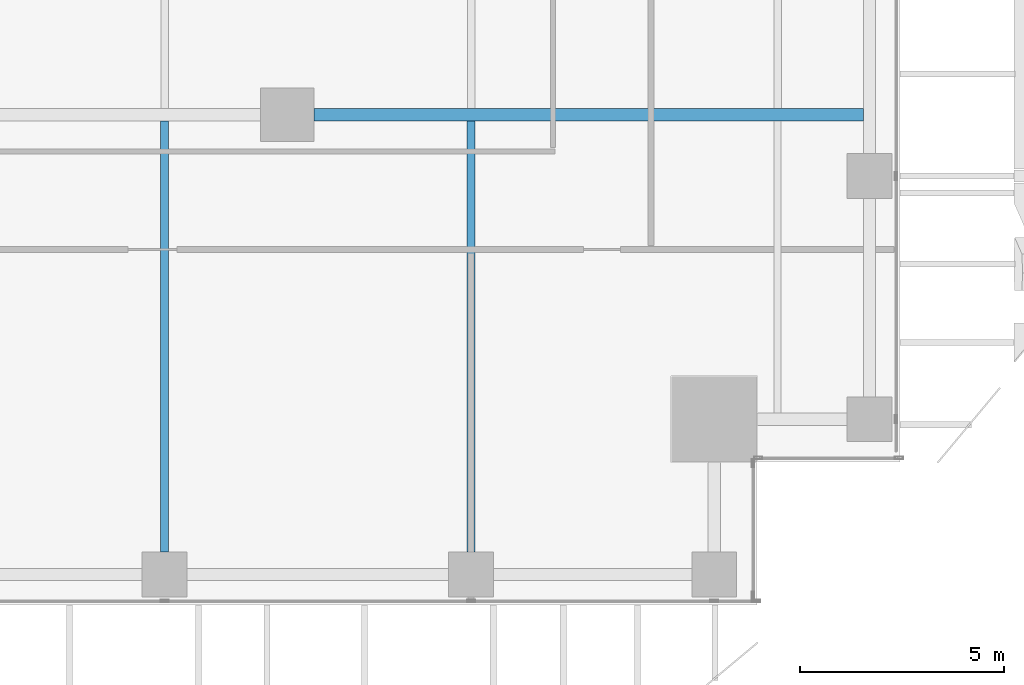
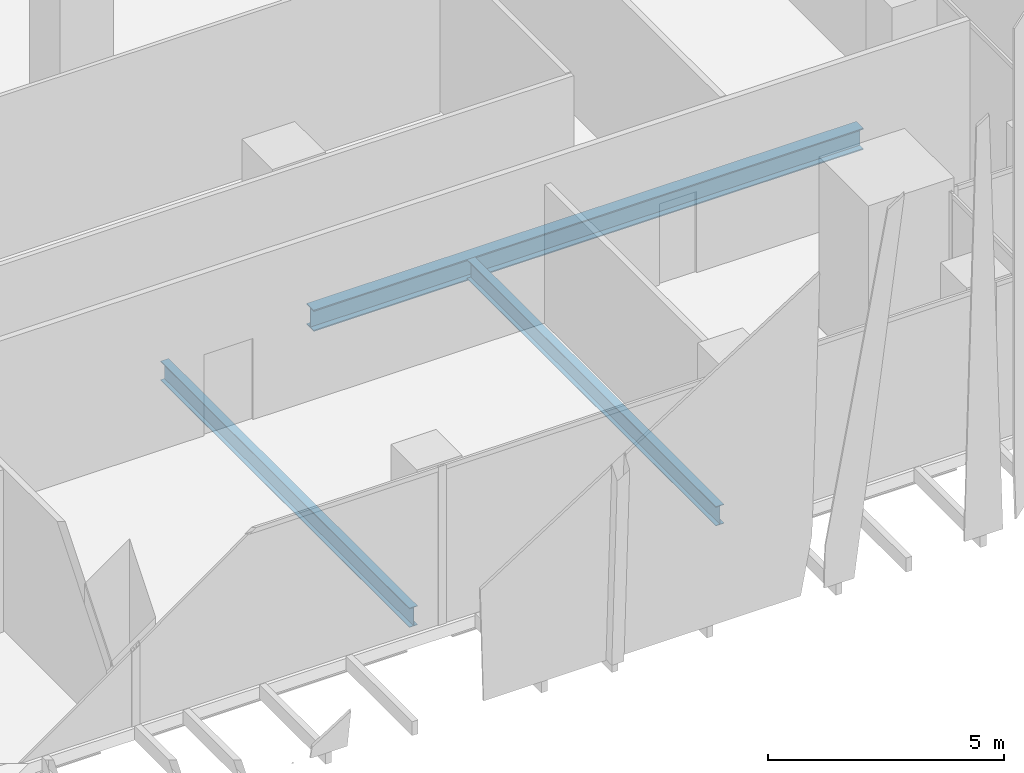
# One storey, part 10 of 36: 3 beams.
"""IFC4 building model written with IfcOpenShell, lengths in metres."""

from ifc_helpers import new_model, si_unit, direction, frame, origin, origin_2d, place, context, subcontext, project, spatial, i_section, extrude, source, transform, mapped, material, material_profile, profile_set, type_object, element, save


model = new_model("IFC4")

# Units and contexts
model_context = context("Model", 3, precision=1e-05, world=origin(), true_north=direction((0.0, 1.0)))
body_context = subcontext(model_context, "Body", "Model", "MODEL_VIEW")
ifc_project = project(units=[si_unit("LENGTHUNIT", "METRE"), si_unit("AREAUNIT", "SQUARE_METRE"), si_unit("VOLUMEUNIT", "CUBIC_METRE"), si_unit("PLANEANGLEUNIT", "RADIAN"), si_unit("MASSUNIT", "GRAM", prefix="KILO")], contexts=[model_context])

# Site, building, storey
site_placement = place(None, origin())
site = spatial("IfcSite", under=ifc_project, at=site_placement, CompositionType="ELEMENT")
building_placement = place(site_placement, origin())
building = spatial("IfcBuilding", under=site, at=building_placement, Name="Khomas Fold Tower", CompositionType="ELEMENT")
storey_placement = place(building_placement, frame((0.0, 0.0, 141.10009765625)))
storey = spatial("IfcBuildingStorey", under=building, at=storey_placement, Name="L30", CompositionType="ELEMENT", Elevation=141.10009765625)

# Beams
ifc_material_1 = material(Name="Steel S355", Category="steel")
ifc_material_profile_1 = material_profile(ifc_material_1, i_section(OverallWidth=0.300048828125, OverallDepth=0.550048828125, WebThickness=0.014892578125, FlangeThickness=0.029052734375, at=origin_2d()), Name="HE 550 B")
ifc_profile_set_1 = profile_set([ifc_material_profile_1], Name="Steel S355")
beam_type_1 = type_object("IfcBeamType", Name="HE 550 B beam GB4", PredefinedType="BEAM", material=ifc_profile_set_1)
shared_shape_1 = source(origin(), body_context, "Body", "SweptSolid", [
    extrude(i_section(OverallWidth=0.300048828125, OverallDepth=0.550048828125, WebThickness=0.014892578125, FlangeThickness=0.029052734375, at=origin_2d()), origin(), (0.0, 0.0, 1.0), 13.4501953125),
])
beam_placement = place(storey_placement, frame((38.14990234375, 13.5, -0.5751953125), z_axis=(1.0, 0.0, 0.0), x_axis=(0.0, 1.0, 0.0)))
element("IfcBeam", 1, at=beam_placement, inside=storey, type_object=beam_type_1, Name="GB4", PredefinedType="BEAM", context=body_context, shape_type="MappedRepresentation", body=[
    mapped(shared_shape_1, transform((0.0, 0.0, 0.0))),
])
ifc_material_2 = material(Name="Steel S355", Category="steel")
ifc_material_profile_2 = material_profile(ifc_material_2, i_section(OverallWidth=0.199951171875, OverallDepth=0.5, WebThickness=0.01025390625, FlangeThickness=0.01611328125, at=origin_2d()), Name="IPE 500")
ifc_profile_set_2 = profile_set([ifc_material_profile_2], Name="Steel S355")
beam_type_2 = type_object("IfcBeamType", Name="IPE 500 beam JB5", PredefinedType="BEAM", material=ifc_profile_set_2)
shared_shape_2 = source(origin(), body_context, "Body", "SweptSolid", [
    extrude(i_section(OverallWidth=0.199951171875, OverallDepth=0.5, WebThickness=0.01025390625, FlangeThickness=0.01611328125, at=origin_2d()), origin(), (0.0, 0.0, 1.0), 10.550048828125),
])
for number, where, z_axis, x_axis, name in (
    (2, (34.5, 2.800048828125, -0.550048828125), (0.0, 1.0, 0.0), (-1.0, 0.0, 0.0), "JB5"),
    (3, (42.0, 2.800048828125, -0.550048828125), (0.0, 1.0, 0.0), (-1.0, 0.0, 0.0), "JB5"),
):
    element("IfcBeam", number, at=place(storey_placement, frame(where, z_axis=z_axis, x_axis=x_axis)), inside=storey, type_object=beam_type_2, Name=name, PredefinedType="BEAM", context=body_context, shape_type="MappedRepresentation", body=[
        mapped(shared_shape_2, transform((0.0, 0.0, 0.0))),
    ])

save(model, "model.ifc")
